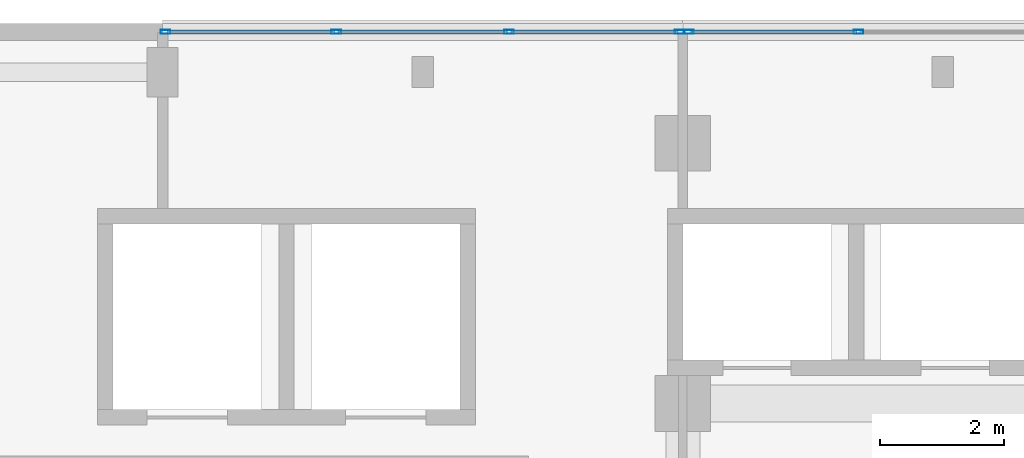
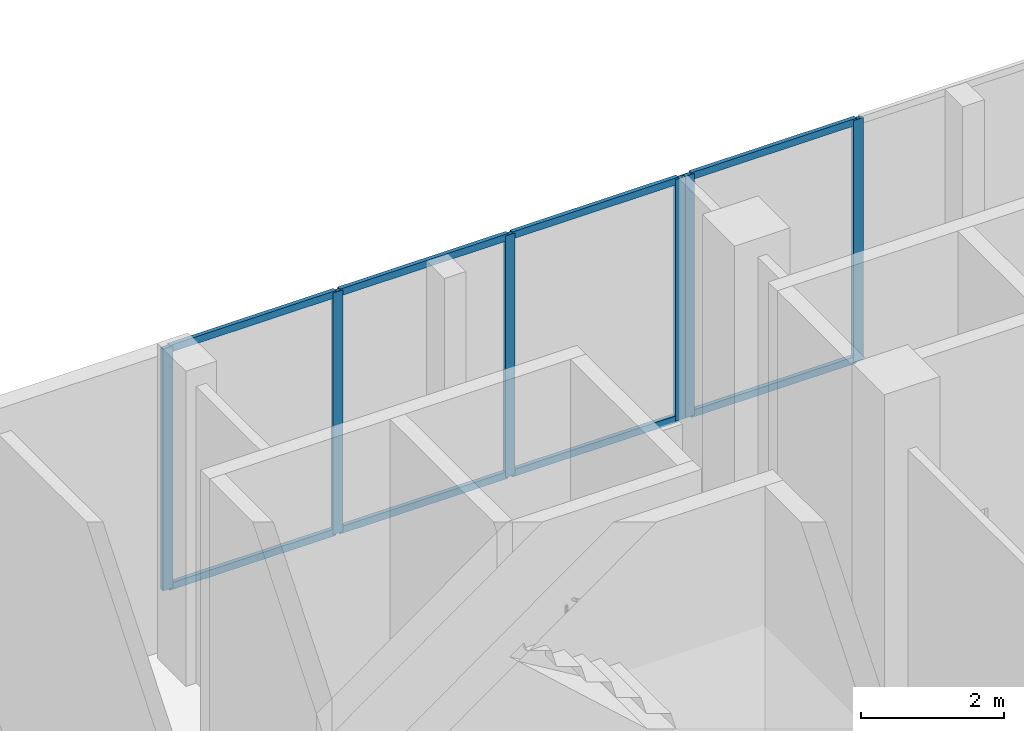
# One storey, part 92 of 158: 14 members, 2 elements without a shape of their own.
"""IFC4 building model written with IfcOpenShell, lengths in metres."""

from ifc_helpers import new_model, si_unit, direction, frame, origin, origin_2d, place, context, subcontext, project, spatial, hollow_rectangle, extrude, material, material_profile, profile_set, type_object, element, aggregate, save


model = new_model("IFC4")

# Units and contexts
model_context = context("Model", 3, precision=1e-05, world=origin(), true_north=direction((0.0, 1.0)))
body_context = subcontext(model_context, "Body", "Model", "MODEL_VIEW")
ifc_project = project(units=[si_unit("LENGTHUNIT", "METRE"), si_unit("AREAUNIT", "SQUARE_METRE"), si_unit("VOLUMEUNIT", "CUBIC_METRE"), si_unit("PLANEANGLEUNIT", "RADIAN"), si_unit("MASSUNIT", "GRAM", prefix="KILO")], contexts=[model_context])

# Site, building, storey
site_placement = place(None, origin())
site = spatial("IfcSite", under=ifc_project, at=site_placement, CompositionType="ELEMENT")
building_placement = place(site_placement, origin())
building = spatial("IfcBuilding", under=site, at=building_placement, Name="Selatvlak General Hospital", CompositionType="ELEMENT")
storey_placement = place(building_placement, origin())
storey = spatial("IfcBuildingStorey", under=building, at=storey_placement, Name="L00", CompositionType="ELEMENT", Elevation=0.0)

# Curtain wall, members
ifc_material_1 = material(Name="Solar-control Low-E double glazing", Category="glass")
curtain_wall_type_1 = type_object("IfcCurtainWallType", Name="CW-CW-01", PredefinedType="USERDEFINED", material=ifc_material_1)
curtain_wall_1_placement = place(storey_placement, origin())
curtain_wall_1 = element("IfcCurtainWall", 1, at=curtain_wall_1_placement, inside=storey, type_object=curtain_wall_type_1, Name="Glazed facade curtain wall CW-L00-0008", ObjectType="UNITISED CURTAIN WALL", PredefinedType="USERDEFINED")
ifc_material_2 = material(Name="Dark anodised aluminium mullion", Category="aluminium")
ifc_material_profile_1 = material_profile(ifc_material_2, hollow_rectangle(XDim=0.06494140625, YDim=0.159912109375, WallThickness=0.00390625, at=origin_2d()), Name="AL-MUL 65x160x4")
ifc_profile_set_1 = profile_set([ifc_material_profile_1], Name="Dark anodised aluminium mullion")
member_type_1 = type_object("IfcMemberType", Name="CWM-01", PredefinedType="MULLION", material=ifc_profile_set_1)
member_1_placement = place(storey_placement, frame((106.846435546875, 120.0, 0.93994140625), z_axis=(0.0, 0.0, 1.0), x_axis=(0.0, 1.0, 0.0)))
member_1 = element("IfcMember", 2, at=member_1_placement, type_object=member_type_1, Name="CW-01 mullion 1", PredefinedType="MULLION", context=body_context, shape_type="SweptSolid", body=[
    extrude(hollow_rectangle(XDim=0.06494140625, YDim=0.159912109375, WallThickness=0.00390625, at=origin_2d()), origin(), (0.0, 0.0, 1.0), 4.14013671875),
])
member_2_placement = place(storey_placement, frame((109.60400390625, 120.0, 0.93994140625), z_axis=(0.0, 0.0, 1.0), x_axis=(0.0, 1.0, 0.0)))
member_2 = element("IfcMember", 3, at=member_2_placement, type_object=member_type_1, Name="CW-01 mullion 2", PredefinedType="MULLION", context=body_context, shape_type="SweptSolid", body=[
    extrude(hollow_rectangle(XDim=0.06494140625, YDim=0.159912109375, WallThickness=0.00390625, at=origin_2d()), origin(), (0.0, 0.0, 1.0), 4.14013671875),
])
member_3_placement = place(storey_placement, frame((112.39404296875, 120.0, 0.93994140625), z_axis=(0.0, 0.0, 1.0), x_axis=(0.0, 1.0, 0.0)))
member_3 = element("IfcMember", 4, at=member_3_placement, type_object=member_type_1, Name="CW-01 mullion 3", PredefinedType="MULLION", context=body_context, shape_type="SweptSolid", body=[
    extrude(hollow_rectangle(XDim=0.06494140625, YDim=0.159912109375, WallThickness=0.00390625, at=origin_2d()), origin(), (0.0, 0.0, 1.0), 4.14013671875),
])
member_4_placement = place(storey_placement, frame((115.151611328125, 120.0, 0.93994140625), z_axis=(0.0, 0.0, 1.0), x_axis=(0.0, 1.0, 0.0)))
member_4 = element("IfcMember", 5, at=member_4_placement, type_object=member_type_1, Name="CW-01 mullion 4", PredefinedType="MULLION", context=body_context, shape_type="SweptSolid", body=[
    extrude(hollow_rectangle(XDim=0.06494140625, YDim=0.159912109375, WallThickness=0.00390625, at=origin_2d()), origin(), (0.0, 0.0, 1.0), 4.14013671875),
])

curtain_wall_type_2 = type_object("IfcCurtainWallType", Name="CW-CW-02", PredefinedType="USERDEFINED", material=ifc_material_1)
curtain_wall_2_placement = place(storey_placement, origin())
curtain_wall_2 = element("IfcCurtainWall", 6, at=curtain_wall_2_placement, inside=storey, type_object=curtain_wall_type_2, Name="Glazed facade curtain wall CW-L00-0009", ObjectType="UNITISED CURTAIN WALL", PredefinedType="USERDEFINED")
member_5_placement = place(storey_placement, frame((115.29638671875, 120.0, 0.93994140625), z_axis=(0.0, 0.0, 1.0), x_axis=(0.0, 1.0, 0.0)))
member_5 = element("IfcMember", 7, at=member_5_placement, type_object=member_type_1, Name="CW-02 mullion 1", PredefinedType="MULLION", context=body_context, shape_type="SweptSolid", body=[
    extrude(hollow_rectangle(XDim=0.06494140625, YDim=0.159912109375, WallThickness=0.00390625, at=origin_2d()), origin(), (0.0, 0.0, 1.0), 4.14013671875),
])
member_6_placement = place(storey_placement, frame((118.037353515625, 120.0, 0.93994140625), z_axis=(0.0, 0.0, 1.0), x_axis=(0.0, 1.0, 0.0)))
member_6 = element("IfcMember", 8, at=member_6_placement, type_object=member_type_1, Name="CW-02 mullion 2", PredefinedType="MULLION", context=body_context, shape_type="SweptSolid", body=[
    extrude(hollow_rectangle(XDim=0.06494140625, YDim=0.159912109375, WallThickness=0.00390625, at=origin_2d()), origin(), (0.0, 0.0, 1.0), 4.14013671875),
])

# Member
ifc_material_profile_2 = material_profile(ifc_material_2, hollow_rectangle(XDim=0.06494140625, YDim=0.1201171875, WallThickness=0.00390625, at=origin_2d()), Name="AL-TRN 65x120x4")
ifc_profile_set_2 = profile_set([ifc_material_profile_2], Name="Dark anodised aluminium mullion")
member_type_2 = type_object("IfcMemberType", Name="CWT-01", PredefinedType="USERDEFINED", material=ifc_profile_set_2)
member_7_placement = place(storey_placement, frame((106.87890625, 120.0, 0.972412109375), z_axis=(1.0, 0.0, 0.0), x_axis=(0.0, 1.0, 0.0)))
member_7 = element("IfcMember", 9, at=member_7_placement, type_object=member_type_2, Name="CW-01 transom 1.1", ObjectType="TRANSOM", PredefinedType="USERDEFINED", context=body_context, shape_type="SweptSolid", body=[
    extrude(hollow_rectangle(XDim=0.06494140625, YDim=0.1201171875, WallThickness=0.00390625, at=origin_2d()), origin(), (0.0, 0.0, 1.0), 2.692626953125),
])

member_8_placement = place(storey_placement, frame((106.87890625, 120.0, 5.047607421875), z_axis=(1.0, 0.0, 0.0), x_axis=(0.0, 1.0, 0.0)))
member_8 = element("IfcMember", 10, at=member_8_placement, type_object=member_type_2, Name="CW-01 transom 1.2", ObjectType="TRANSOM", PredefinedType="USERDEFINED", context=body_context, shape_type="SweptSolid", body=[
    extrude(hollow_rectangle(XDim=0.06494140625, YDim=0.1201171875, WallThickness=0.00390625, at=origin_2d()), origin(), (0.0, 0.0, 1.0), 2.692626953125),
])

member_9_placement = place(storey_placement, frame((109.636474609375, 120.0, 0.972412109375), z_axis=(1.0, 0.0, 0.0), x_axis=(0.0, 1.0, 0.0)))
member_9 = element("IfcMember", 11, at=member_9_placement, type_object=member_type_2, Name="CW-01 transom 2.1", ObjectType="TRANSOM", PredefinedType="USERDEFINED", context=body_context, shape_type="SweptSolid", body=[
    extrude(hollow_rectangle(XDim=0.06494140625, YDim=0.1201171875, WallThickness=0.00390625, at=origin_2d()), origin(), (0.0, 0.0, 1.0), 2.72509765625),
])

member_10_placement = place(storey_placement, frame((109.636474609375, 120.0, 5.047607421875), z_axis=(1.0, 0.0, 0.0), x_axis=(0.0, 1.0, 0.0)))
member_10 = element("IfcMember", 12, at=member_10_placement, type_object=member_type_2, Name="CW-01 transom 2.2", ObjectType="TRANSOM", PredefinedType="USERDEFINED", context=body_context, shape_type="SweptSolid", body=[
    extrude(hollow_rectangle(XDim=0.06494140625, YDim=0.1201171875, WallThickness=0.00390625, at=origin_2d()), origin(), (0.0, 0.0, 1.0), 2.72509765625),
])

member_11_placement = place(storey_placement, frame((112.426513671875, 120.0, 0.972412109375), z_axis=(1.0, 0.0, 0.0), x_axis=(0.0, 1.0, 0.0)))
member_11 = element("IfcMember", 13, at=member_11_placement, type_object=member_type_2, Name="CW-01 transom 3.1", ObjectType="TRANSOM", PredefinedType="USERDEFINED", context=body_context, shape_type="SweptSolid", body=[
    extrude(hollow_rectangle(XDim=0.06494140625, YDim=0.1201171875, WallThickness=0.00390625, at=origin_2d()), origin(), (0.0, 0.0, 1.0), 2.6923828125),
])

member_12_placement = place(storey_placement, frame((112.426513671875, 120.0, 5.047607421875), z_axis=(1.0, 0.0, 0.0), x_axis=(0.0, 1.0, 0.0)))
member_12 = element("IfcMember", 14, at=member_12_placement, type_object=member_type_2, Name="CW-01 transom 3.2", ObjectType="TRANSOM", PredefinedType="USERDEFINED", context=body_context, shape_type="SweptSolid", body=[
    extrude(hollow_rectangle(XDim=0.06494140625, YDim=0.1201171875, WallThickness=0.00390625, at=origin_2d()), origin(), (0.0, 0.0, 1.0), 2.6923828125),
])

aggregate(curtain_wall_1, [member_1, member_2, member_3, member_4, member_7, member_8, member_9, member_10, member_11, member_12])

member_13_placement = place(storey_placement, frame((115.3291015625, 120.0, 0.972412109375), z_axis=(1.0, 0.0, 0.0), x_axis=(0.0, 1.0, 0.0)))
member_13 = element("IfcMember", 15, at=member_13_placement, type_object=member_type_2, Name="CW-02 transom 1.1", ObjectType="TRANSOM", PredefinedType="USERDEFINED", context=body_context, shape_type="SweptSolid", body=[
    extrude(hollow_rectangle(XDim=0.06494140625, YDim=0.1201171875, WallThickness=0.00390625, at=origin_2d()), origin(), (0.0, 0.0, 1.0), 2.67578125),
])

member_14_placement = place(storey_placement, frame((115.3291015625, 120.0, 5.047607421875), z_axis=(1.0, 0.0, 0.0), x_axis=(0.0, 1.0, 0.0)))
member_14 = element("IfcMember", 16, at=member_14_placement, type_object=member_type_2, Name="CW-02 transom 1.2", ObjectType="TRANSOM", PredefinedType="USERDEFINED", context=body_context, shape_type="SweptSolid", body=[
    extrude(hollow_rectangle(XDim=0.06494140625, YDim=0.1201171875, WallThickness=0.00390625, at=origin_2d()), origin(), (0.0, 0.0, 1.0), 2.67578125),
])

aggregate(curtain_wall_2, [member_5, member_6, member_13, member_14])

save(model, "model.ifc")
